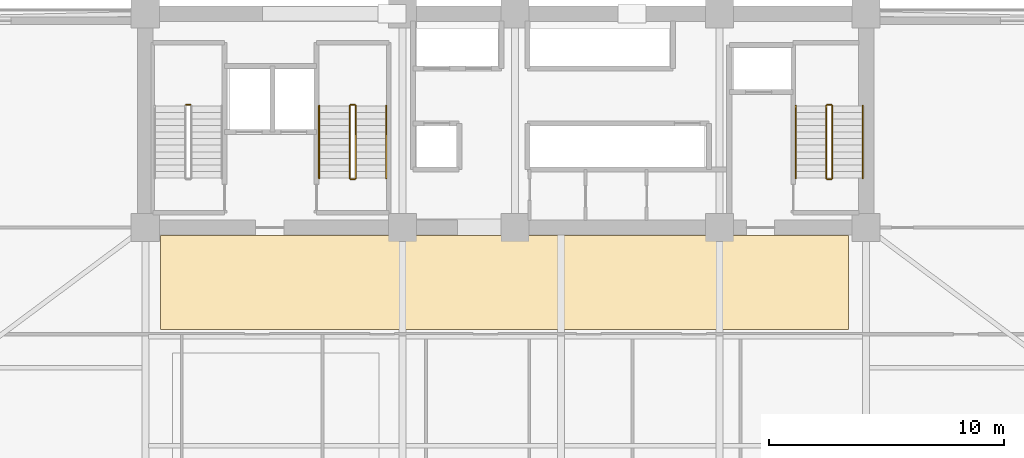
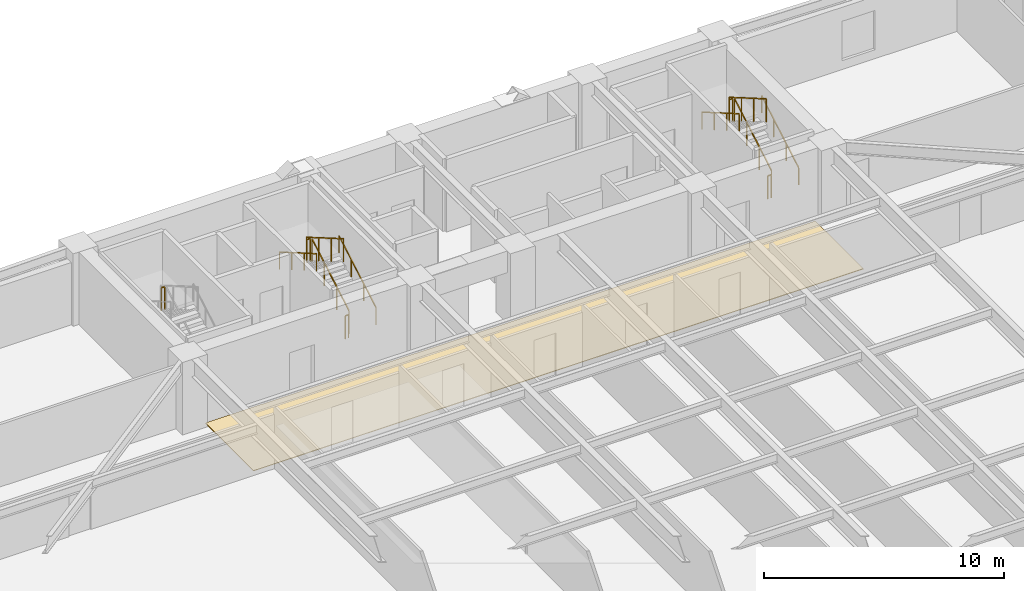
# One storey, part 17 of 18: 13 railings, 1 covering.
"""IFC4 building model written with IfcOpenShell, lengths in metres."""

from ifc_helpers import new_model, si_unit, direction, frame, origin, origin_2d, place, context, subcontext, project, spatial, polyline, rectangle, outline, extrude, material, layer, layer_set, type_object, element, save


model = new_model("IFC4")

# Units and contexts
model_context = context("Model", 3, precision=1e-05, world=origin(), true_north=direction((0.0, 1.0)))
body_context = subcontext(model_context, "Body", "Model", "MODEL_VIEW")
ifc_project = project(units=[si_unit("LENGTHUNIT", "METRE"), si_unit("AREAUNIT", "SQUARE_METRE"), si_unit("VOLUMEUNIT", "CUBIC_METRE"), si_unit("PLANEANGLEUNIT", "RADIAN"), si_unit("MASSUNIT", "GRAM", prefix="KILO")], contexts=[model_context])

# Site, building, storey
site_placement = place(None, origin())
site = spatial("IfcSite", under=ifc_project, at=site_placement, CompositionType="ELEMENT")
building_placement = place(site_placement, origin())
building = spatial("IfcBuilding", under=site, at=building_placement, Name="Giltprow Tower", CompositionType="ELEMENT")
storey_placement = place(building_placement, frame((0.0, 0.0, 65.0)))
storey = spatial("IfcBuildingStorey", under=building, at=storey_placement, Name="L16", CompositionType="ELEMENT", Elevation=65.0)

# Covering
ifc_material_1 = material(Name="Honed granite", Category="masonry")
ifc_layer = layer(ifc_material_1, 0.030029296875, Name="Honed granite")
ifc_layer_set = layer_set([ifc_layer], Name="Honed granite")
covering_type = type_object("IfcCoveringType", Name="COV-FLR-STONE", PredefinedType="FLOORING", material=ifc_layer_set)
covering_placement = place(storey_placement, origin())
element("IfcCovering", 1, at=covering_placement, inside=storey, type_object=covering_type, Name="L16 Office Corridor Stone Flooring", PredefinedType="FLOORING", context=body_context, shape_type="SweptSolid", body=[
    extrude(outline(polyline([(20.5, 33.10009765625), (49.800048828125, 33.10009765625), (49.800048828125, 37.10009765625), (20.5, 37.10009765625), (20.5, 33.10009765625)])), origin(), (0.0, 0.0, 1.0), 0.030029296875),
])

# Railings
ifc_material_2 = material(Name="Anodized bronze", Category="metal")
railing_type_1 = type_object("IfcRailingType", Name="RAIL-STAIR-GUARD-1200", PredefinedType="GUARDRAIL", material=ifc_material_2)
railing_1_placement = place(storey_placement, frame((21.760009765625, 42.679931640625, 1.949951171875)))
element("IfcRailing", 2, at=railing_1_placement, inside=storey, type_object=railing_type_1, Name="L16 ST-1 stair guard 2", PredefinedType="GUARDRAIL", context=body_context, shape_type="SweptSolid", body=[
    extrude(rectangle(XDim=0.048095703125, YDim=0.048095703125, at=origin_2d()), frame((0.0, 0.0, 1.17578125), z_axis=(-1.0, 0.0, 0.0), x_axis=(0.0, -1.0, 0.0)), (0.0, 0.0, 1.0), 0.159912109375),
    extrude(rectangle(XDim=0.0419921875, YDim=0.0419921875, at=origin_2d()), origin(), (0.0, 0.0, 1.0), 1.15185546875),
    extrude(rectangle(XDim=0.0419921875, YDim=0.0419921875, at=origin_2d()), frame((-0.159912109375, 0.0, 0.0)), (0.0, 0.0, 1.0), 1.15185546875),
])
railing_2_placement = place(storey_placement, frame((28.81005859375, 39.550048828125, 0.16259765625)))
element("IfcRailing", 3, at=railing_2_placement, inside=storey, type_object=railing_type_1, Name="L16 ST-2 stair guard 1", PredefinedType="GUARDRAIL", context=body_context, shape_type="SweptSolid", body=[
    extrude(rectangle(XDim=0.048095703125, YDim=0.048095703125, at=origin_2d()), frame((0.0, 0.0, 1.17578125), z_axis=(0.0, 0.864903211148, 0.501938676878), x_axis=(-1.0, 0.0, 0.0)), (0.0, 0.0, 1.0), 3.560791015625),
    extrude(rectangle(XDim=0.0419921875, YDim=0.0419921875, at=origin_2d()), origin(), (0.0, 0.0, 1.0), 1.15185546875),
    extrude(rectangle(XDim=0.0419921875, YDim=0.0419921875, at=origin_2d()), frame((0.0, 1.026611328125, 0.595703125)), (0.0, 0.0, 1.0), 1.15185546875),
    extrude(rectangle(XDim=0.0419921875, YDim=0.0419921875, at=origin_2d()), frame((0.0, 2.05322265625, 1.191650390625)), (0.0, 0.0, 1.0), 1.15185546875),
    extrude(rectangle(XDim=0.0419921875, YDim=0.0419921875, at=origin_2d()), frame((0.0, 3.079833984375, 1.787353515625)), (0.0, 0.0, 1.0), 1.15185546875),
])
railing_3_placement = place(storey_placement, frame((28.760009765625, 42.679931640625, 1.949951171875)))
element("IfcRailing", 4, at=railing_3_placement, inside=storey, type_object=railing_type_1, Name="L16 ST-2 stair guard 2", PredefinedType="GUARDRAIL", context=body_context, shape_type="SweptSolid", body=[
    extrude(rectangle(XDim=0.048095703125, YDim=0.048095703125, at=origin_2d()), frame((0.0, 0.0, 1.17578125), z_axis=(-1.0, 0.0, 0.0), x_axis=(0.0, -1.0, 0.0)), (0.0, 0.0, 1.0), 0.159912109375),
    extrude(rectangle(XDim=0.0419921875, YDim=0.0419921875, at=origin_2d()), origin(), (0.0, 0.0, 1.0), 1.15185546875),
    extrude(rectangle(XDim=0.0419921875, YDim=0.0419921875, at=origin_2d()), frame((-0.159912109375, 0.0, 0.0)), (0.0, 0.0, 1.0), 1.15185546875),
])
railing_4_placement = place(storey_placement, frame((28.550048828125, 42.6298828125, 2.112548828125)))
element("IfcRailing", 5, at=railing_4_placement, inside=storey, type_object=railing_type_1, Name="L16 ST-2 stair guard 3", PredefinedType="GUARDRAIL", context=body_context, shape_type="SweptSolid", body=[
    extrude(rectangle(XDim=0.048095703125, YDim=0.048095703125, at=origin_2d()), frame((0.0, 0.0, 1.17578125), z_axis=(0.0, -0.864903211148, 0.501938676878), x_axis=(1.0, 0.0, 0.0)), (0.0, 0.0, 1.0), 3.560791015625),
    extrude(rectangle(XDim=0.0419921875, YDim=0.0419921875, at=origin_2d()), origin(), (0.0, 0.0, 1.0), 1.15185546875),
    extrude(rectangle(XDim=0.0419921875, YDim=0.0419921875, at=origin_2d()), frame((0.0, -1.026611328125, 0.595703125)), (0.0, 0.0, 1.0), 1.15185546875),
    extrude(rectangle(XDim=0.0419921875, YDim=0.0419921875, at=origin_2d()), frame((0.0, -2.05322265625, 1.191650390625)), (0.0, 0.0, 1.0), 1.15185546875),
    extrude(rectangle(XDim=0.0419921875, YDim=0.0419921875, at=origin_2d()), frame((0.0, -3.079833984375, 1.787353515625)), (0.0, 0.0, 1.0), 1.15185546875),
])
railing_5_placement = place(storey_placement, frame((28.760009765625, 39.5, 0.0)))
element("IfcRailing", 6, at=railing_5_placement, inside=storey, type_object=railing_type_1, Name="L16 ST-2 stair guard 4", PredefinedType="GUARDRAIL", context=body_context, shape_type="SweptSolid", body=[
    extrude(rectangle(XDim=0.048095703125, YDim=0.048095703125, at=origin_2d()), frame((0.0, 0.0, 1.17578125), z_axis=(-1.0, 0.0, 0.0), x_axis=(0.0, -1.0, 0.0)), (0.0, 0.0, 1.0), 0.159912109375),
    extrude(rectangle(XDim=0.0419921875, YDim=0.0419921875, at=origin_2d()), origin(), (0.0, 0.0, 1.0), 1.15185546875),
    extrude(rectangle(XDim=0.0419921875, YDim=0.0419921875, at=origin_2d()), frame((-0.159912109375, 0.0, 0.0)), (0.0, 0.0, 1.0), 1.15185546875),
])
railing_6_placement = place(storey_placement, frame((49.110107421875, 39.550048828125, 0.16259765625)))
element("IfcRailing", 7, at=railing_6_placement, inside=storey, type_object=railing_type_1, Name="L16 ST-3 stair guard 1", PredefinedType="GUARDRAIL", context=body_context, shape_type="SweptSolid", body=[
    extrude(rectangle(XDim=0.048095703125, YDim=0.048095703125, at=origin_2d()), frame((0.0, 0.0, 1.17578125), z_axis=(0.0, 0.864903211148, 0.501938676878), x_axis=(-1.0, 0.0, 0.0)), (0.0, 0.0, 1.0), 3.560791015625),
    extrude(rectangle(XDim=0.0419921875, YDim=0.0419921875, at=origin_2d()), origin(), (0.0, 0.0, 1.0), 1.15185546875),
    extrude(rectangle(XDim=0.0419921875, YDim=0.0419921875, at=origin_2d()), frame((0.0, 1.026611328125, 0.595703125)), (0.0, 0.0, 1.0), 1.15185546875),
    extrude(rectangle(XDim=0.0419921875, YDim=0.0419921875, at=origin_2d()), frame((0.0, 2.05322265625, 1.191650390625)), (0.0, 0.0, 1.0), 1.15185546875),
    extrude(rectangle(XDim=0.0419921875, YDim=0.0419921875, at=origin_2d()), frame((0.0, 3.079833984375, 1.787353515625)), (0.0, 0.0, 1.0), 1.15185546875),
])
railing_7_placement = place(storey_placement, frame((49.06005859375, 42.679931640625, 1.949951171875)))
element("IfcRailing", 8, at=railing_7_placement, inside=storey, type_object=railing_type_1, Name="L16 ST-3 stair guard 2", PredefinedType="GUARDRAIL", context=body_context, shape_type="SweptSolid", body=[
    extrude(rectangle(XDim=0.048095703125, YDim=0.048095703125, at=origin_2d()), frame((0.0, 0.0, 1.17578125), z_axis=(-1.0, 0.0, 0.0), x_axis=(0.0, -1.0, 0.0)), (0.0, 0.0, 1.0), 0.16015625),
    extrude(rectangle(XDim=0.0419921875, YDim=0.0419921875, at=origin_2d()), origin(), (0.0, 0.0, 1.0), 1.15185546875),
    extrude(rectangle(XDim=0.0419921875, YDim=0.0419921875, at=origin_2d()), frame((-0.16015625, 0.0, 0.0)), (0.0, 0.0, 1.0), 1.15185546875),
])
railing_8_placement = place(storey_placement, frame((48.85009765625, 42.6298828125, 2.112548828125)))
element("IfcRailing", 9, at=railing_8_placement, inside=storey, type_object=railing_type_1, Name="L16 ST-3 stair guard 3", PredefinedType="GUARDRAIL", context=body_context, shape_type="SweptSolid", body=[
    extrude(rectangle(XDim=0.048095703125, YDim=0.048095703125, at=origin_2d()), frame((0.0, 0.0, 1.17578125), z_axis=(0.0, -0.864903211148, 0.501938676878), x_axis=(1.0, 0.0, 0.0)), (0.0, 0.0, 1.0), 3.560791015625),
    extrude(rectangle(XDim=0.0419921875, YDim=0.0419921875, at=origin_2d()), origin(), (0.0, 0.0, 1.0), 1.15185546875),
    extrude(rectangle(XDim=0.0419921875, YDim=0.0419921875, at=origin_2d()), frame((0.0, -1.026611328125, 0.595703125)), (0.0, 0.0, 1.0), 1.15185546875),
    extrude(rectangle(XDim=0.0419921875, YDim=0.0419921875, at=origin_2d()), frame((0.0, -2.05322265625, 1.191650390625)), (0.0, 0.0, 1.0), 1.15185546875),
    extrude(rectangle(XDim=0.0419921875, YDim=0.0419921875, at=origin_2d()), frame((0.0, -3.079833984375, 1.787353515625)), (0.0, 0.0, 1.0), 1.15185546875),
])
railing_9_placement = place(storey_placement, frame((49.06005859375, 39.5, 0.0)))
element("IfcRailing", 10, at=railing_9_placement, inside=storey, type_object=railing_type_1, Name="L16 ST-3 stair guard 4", PredefinedType="GUARDRAIL", context=body_context, shape_type="SweptSolid", body=[
    extrude(rectangle(XDim=0.048095703125, YDim=0.048095703125, at=origin_2d()), frame((0.0, 0.0, 1.17578125), z_axis=(-1.0, 0.0, 0.0), x_axis=(0.0, -1.0, 0.0)), (0.0, 0.0, 1.0), 0.16015625),
    extrude(rectangle(XDim=0.0419921875, YDim=0.0419921875, at=origin_2d()), origin(), (0.0, 0.0, 1.0), 1.15185546875),
    extrude(rectangle(XDim=0.0419921875, YDim=0.0419921875, at=origin_2d()), frame((-0.16015625, 0.0, 0.0)), (0.0, 0.0, 1.0), 1.15185546875),
])
railing_type_2 = type_object("IfcRailingType", Name="RAIL-STAIR-HAND-900", PredefinedType="HANDRAIL", material=ifc_material_2)
railing_10_placement = place(storey_placement, frame((30.110107421875, 39.550048828125, 0.16259765625)))
element("IfcRailing", 11, at=railing_10_placement, inside=storey, type_object=railing_type_2, Name="L16 ST-2 stair handrail 1", PredefinedType="HANDRAIL", context=body_context, shape_type="SweptSolid", body=[
    extrude(rectangle(XDim=0.048095703125, YDim=0.048095703125, at=origin_2d()), frame((0.0, 0.0, 0.8759765625), z_axis=(0.0, 0.864903211148, 0.501938676878), x_axis=(-1.0, 0.0, 0.0)), (0.0, 0.0, 1.0), 3.560791015625),
    extrude(rectangle(XDim=0.0419921875, YDim=0.0419921875, at=origin_2d()), origin(), (0.0, 0.0, 1.0), 0.851806640625),
    extrude(rectangle(XDim=0.0419921875, YDim=0.0419921875, at=origin_2d()), frame((0.0, 1.026611328125, 0.595703125)), (0.0, 0.0, 1.0), 0.851806640625),
    extrude(rectangle(XDim=0.0419921875, YDim=0.0419921875, at=origin_2d()), frame((0.0, 2.05322265625, 1.191650390625)), (0.0, 0.0, 1.0), 0.851806640625),
    extrude(rectangle(XDim=0.0419921875, YDim=0.0419921875, at=origin_2d()), frame((0.0, 3.079833984375, 1.787353515625)), (0.0, 0.0, 1.0), 0.851806640625),
])
railing_11_placement = place(storey_placement, frame((27.25, 42.6298828125, 2.112548828125)))
element("IfcRailing", 12, at=railing_11_placement, inside=storey, type_object=railing_type_2, Name="L16 ST-2 stair handrail 2", PredefinedType="HANDRAIL", context=body_context, shape_type="SweptSolid", body=[
    extrude(rectangle(XDim=0.048095703125, YDim=0.048095703125, at=origin_2d()), frame((0.0, 0.0, 0.8759765625), z_axis=(0.0, -0.864903211148, 0.501938676878), x_axis=(1.0, 0.0, 0.0)), (0.0, 0.0, 1.0), 3.560791015625),
    extrude(rectangle(XDim=0.0419921875, YDim=0.0419921875, at=origin_2d()), origin(), (0.0, 0.0, 1.0), 0.851806640625),
    extrude(rectangle(XDim=0.0419921875, YDim=0.0419921875, at=origin_2d()), frame((0.0, -1.026611328125, 0.595703125)), (0.0, 0.0, 1.0), 0.851806640625),
    extrude(rectangle(XDim=0.0419921875, YDim=0.0419921875, at=origin_2d()), frame((0.0, -2.05322265625, 1.191650390625)), (0.0, 0.0, 1.0), 0.851806640625),
    extrude(rectangle(XDim=0.0419921875, YDim=0.0419921875, at=origin_2d()), frame((0.0, -3.079833984375, 1.787353515625)), (0.0, 0.0, 1.0), 0.851806640625),
])
railing_12_placement = place(storey_placement, frame((50.409912109375, 39.550048828125, 0.16259765625)))
element("IfcRailing", 13, at=railing_12_placement, inside=storey, type_object=railing_type_2, Name="L16 ST-3 stair handrail 1", PredefinedType="HANDRAIL", context=body_context, shape_type="SweptSolid", body=[
    extrude(rectangle(XDim=0.048095703125, YDim=0.048095703125, at=origin_2d()), frame((0.0, 0.0, 0.8759765625), z_axis=(0.0, 0.864903211148, 0.501938676878), x_axis=(-1.0, 0.0, 0.0)), (0.0, 0.0, 1.0), 3.560791015625),
    extrude(rectangle(XDim=0.0419921875, YDim=0.0419921875, at=origin_2d()), origin(), (0.0, 0.0, 1.0), 0.851806640625),
    extrude(rectangle(XDim=0.0419921875, YDim=0.0419921875, at=origin_2d()), frame((0.0, 1.026611328125, 0.595703125)), (0.0, 0.0, 1.0), 0.851806640625),
    extrude(rectangle(XDim=0.0419921875, YDim=0.0419921875, at=origin_2d()), frame((0.0, 2.05322265625, 1.191650390625)), (0.0, 0.0, 1.0), 0.851806640625),
    extrude(rectangle(XDim=0.0419921875, YDim=0.0419921875, at=origin_2d()), frame((0.0, 3.079833984375, 1.787353515625)), (0.0, 0.0, 1.0), 0.851806640625),
])
railing_13_placement = place(storey_placement, frame((47.550048828125, 42.6298828125, 2.112548828125)))
element("IfcRailing", 14, at=railing_13_placement, inside=storey, type_object=railing_type_2, Name="L16 ST-3 stair handrail 2", PredefinedType="HANDRAIL", context=body_context, shape_type="SweptSolid", body=[
    extrude(rectangle(XDim=0.048095703125, YDim=0.048095703125, at=origin_2d()), frame((0.0, 0.0, 0.8759765625), z_axis=(0.0, -0.864903211148, 0.501938676878), x_axis=(1.0, 0.0, 0.0)), (0.0, 0.0, 1.0), 3.560791015625),
    extrude(rectangle(XDim=0.0419921875, YDim=0.0419921875, at=origin_2d()), origin(), (0.0, 0.0, 1.0), 0.851806640625),
    extrude(rectangle(XDim=0.0419921875, YDim=0.0419921875, at=origin_2d()), frame((0.0, -1.026611328125, 0.595703125)), (0.0, 0.0, 1.0), 0.851806640625),
    extrude(rectangle(XDim=0.0419921875, YDim=0.0419921875, at=origin_2d()), frame((0.0, -2.05322265625, 1.191650390625)), (0.0, 0.0, 1.0), 0.851806640625),
    extrude(rectangle(XDim=0.0419921875, YDim=0.0419921875, at=origin_2d()), frame((0.0, -3.079833984375, 1.787353515625)), (0.0, 0.0, 1.0), 0.851806640625),
])

save(model, "model.ifc")
